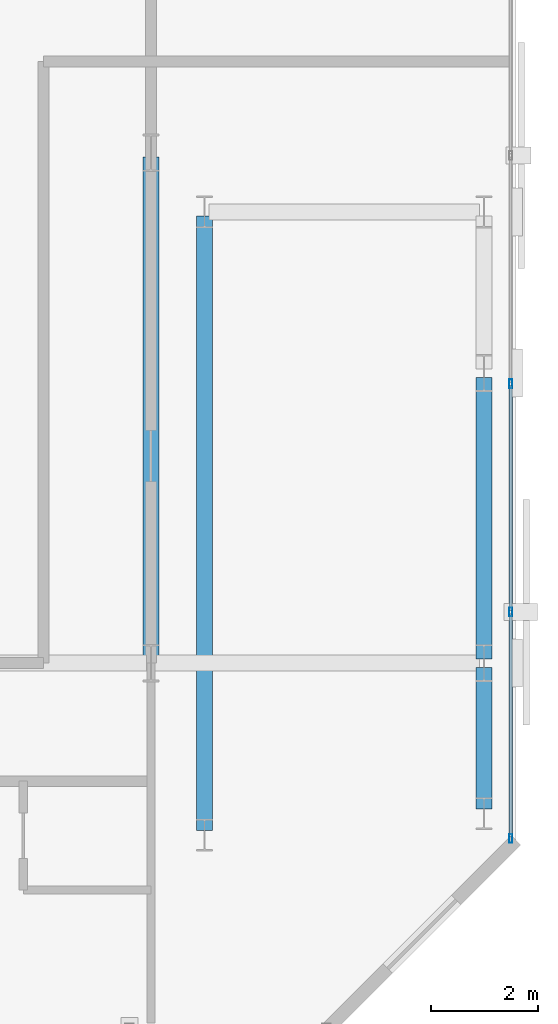
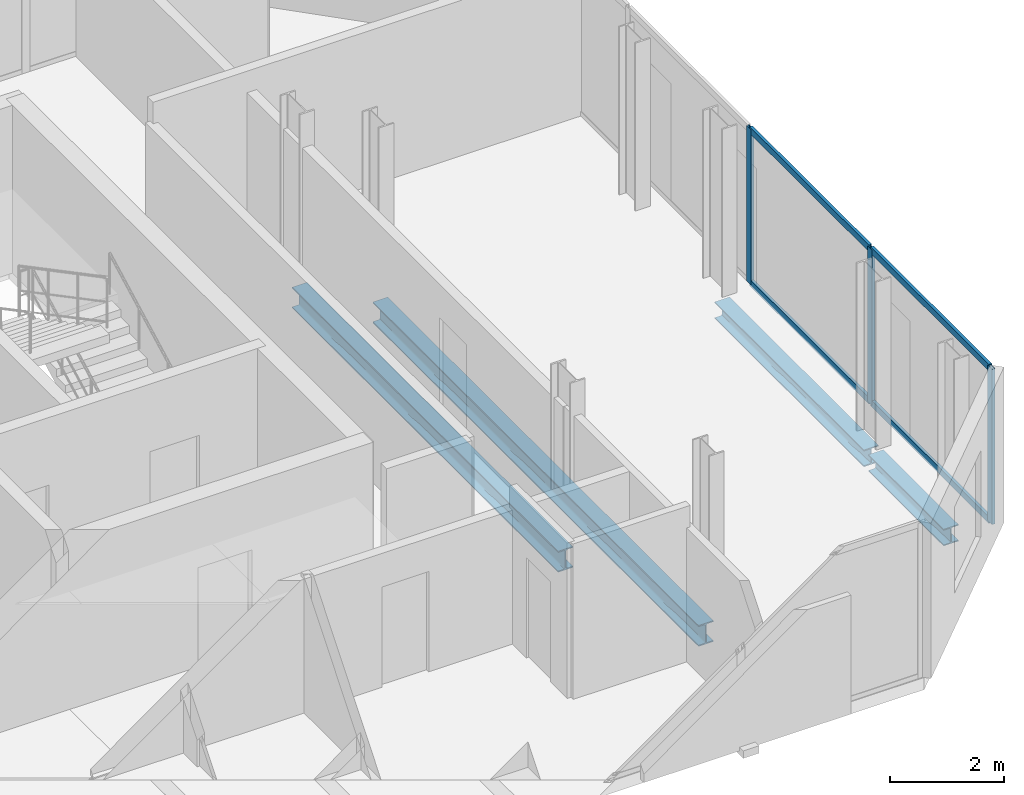
# One storey, part 16 of 33: 7 members, 4 beams, 1 element without a shape of its own.
"""IFC4 building model written with IfcOpenShell, lengths in metres."""

from ifc_helpers import new_model, si_unit, direction, frame, origin, origin_2d, place, context, subcontext, project, spatial, hollow_rectangle, i_section, extrude, material, layer, layer_set, material_profile, profile_set, type_object, element, aggregate, save


model = new_model("IFC4")

# Units and contexts
model_context = context("Model", 3, precision=1e-05, world=origin(), true_north=direction((0.0, 1.0)))
body_context = subcontext(model_context, "Body", "Model", "MODEL_VIEW")
ifc_project = project(units=[si_unit("LENGTHUNIT", "METRE"), si_unit("AREAUNIT", "SQUARE_METRE"), si_unit("VOLUMEUNIT", "CUBIC_METRE"), si_unit("PLANEANGLEUNIT", "RADIAN"), si_unit("MASSUNIT", "GRAM", prefix="KILO")], contexts=[model_context])

# Site, building, storey
site_placement = place(None, origin())
site = spatial("IfcSite", under=ifc_project, at=site_placement, CompositionType="ELEMENT")
building_placement = place(site_placement, origin())
building = spatial("IfcBuilding", under=site, at=building_placement, Name="Catumbela Crestline Tower", CompositionType="ELEMENT")
storey_placement = place(building_placement, frame((0.0, 0.0, 118.8)))
storey = spatial("IfcBuildingStorey", under=building, at=storey_placement, Name="L30", CompositionType="ELEMENT", Elevation=118.8)

# Beams
ifc_material_1 = material(Name="Structural steel S355J2", Category="steel")
ifc_material_profile_1 = material_profile(ifc_material_1, i_section(OverallWidth=0.3, OverallDepth=0.45, WebThickness=0.014, FlangeThickness=0.026, FilletRadius=0.027, at=origin_2d()), Name="HEB 450")
ifc_profile_set_1 = profile_set([ifc_material_profile_1], Name="Structural steel S355J2")
beam_type_1 = type_object("IfcBeamType", Name="BG-HEB450", PredefinedType="BEAM", material=ifc_profile_set_1)
beam_1_placement = place(storey_placement, frame((44.2, 30.88, -0.485), z_axis=(0.0, 1.0, 0.0), x_axis=(-1.0, 0.0, 0.0)))
element("IfcBeam", 1, at=beam_1_placement, inside=storey, type_object=beam_type_1, Name="L30 Beam BM-L30-SN32", PredefinedType="BEAM", context=body_context, shape_type="SweptSolid", body=[
    extrude(i_section(OverallWidth=0.3, OverallDepth=0.45, WebThickness=0.014, FlangeThickness=0.026, FilletRadius=0.027, at=origin_2d()), origin(), (0.0, 0.0, 1.0), 9.34),
])
beam_2_placement = place(storey_placement, frame((45.2, 27.68, -0.485), z_axis=(0.0, 1.0, 0.0), x_axis=(-1.0, 0.0, 0.0)))
element("IfcBeam", 2, at=beam_2_placement, inside=storey, type_object=beam_type_1, Name="L30 Beam BM-L30-SN33", PredefinedType="BEAM", context=body_context, shape_type="SweptSolid", body=[
    extrude(i_section(OverallWidth=0.3, OverallDepth=0.45, WebThickness=0.014, FlangeThickness=0.026, FilletRadius=0.027, at=origin_2d()), origin(), (0.0, 0.0, 1.0), 11.44),
])

# Curtain wall, members
ifc_material_2 = material(Name="Aluminium alloy AW-6060-T66", Category="aluminium")
ifc_layer = layer(ifc_material_2, 0.18, Name="Aluminium alloy AW-6060-T66")
ifc_layer_set = layer_set([ifc_layer], Name="Aluminium alloy AW-6060-T66")
curtain_wall_type = type_object("IfcCurtainWallType", Name="CWU-Z2", PredefinedType="USERDEFINED", material=ifc_layer_set)
curtain_wall_placement = place(storey_placement, origin())
curtain_wall = element("IfcCurtainWall", 3, at=curtain_wall_placement, inside=storey, type_object=curtain_wall_type, Name="L30 Unitised Curtain Wall CW-L30-E5S1", ObjectType="UNITISED", PredefinedType="USERDEFINED")
ifc_material_profile_2 = material_profile(ifc_material_2, hollow_rectangle(XDim=0.06, YDim=0.16, WallThickness=0.004, at=origin_2d()), Name="ALU 160x60x4")
ifc_profile_set_2 = profile_set([ifc_material_profile_2], Name="Aluminium alloy AW-6060-T66")
member_type_1 = type_object("IfcMemberType", Name="MUL-160X60", PredefinedType="MULLION", material=ifc_profile_set_2)
member_1_placement = place(storey_placement, frame((50.9, 27.5325, 0.0), z_axis=(0.0, 0.0, 1.0), x_axis=(-1.0, 0.0, 0.0)))
member_1 = element("IfcMember", 4, at=member_1_placement, type_object=member_type_1, Name="CWU-Z2 mullion 1", PredefinedType="MULLION", context=body_context, shape_type="SweptSolid", body=[
    extrude(hollow_rectangle(XDim=0.06, YDim=0.16, WallThickness=0.004, at=origin_2d()), origin(), (0.0, 0.0, 1.0), 3.33),
])
member_2_placement = place(storey_placement, frame((50.9, 31.75, 0.0), z_axis=(0.0, 0.0, 1.0), x_axis=(-1.0, 0.0, 0.0)))
member_2 = element("IfcMember", 5, at=member_2_placement, type_object=member_type_1, Name="CWU-Z2 mullion 2", PredefinedType="MULLION", context=body_context, shape_type="SweptSolid", body=[
    extrude(hollow_rectangle(XDim=0.06, YDim=0.16, WallThickness=0.004, at=origin_2d()), origin(), (0.0, 0.0, 1.0), 3.33),
])
member_3_placement = place(storey_placement, frame((50.9, 36.0, 0.0), z_axis=(0.0, 0.0, 1.0), x_axis=(-1.0, 0.0, 0.0)))
member_3 = element("IfcMember", 6, at=member_3_placement, type_object=member_type_1, Name="CWU-Z2 mullion 3", PredefinedType="MULLION", context=body_context, shape_type="SweptSolid", body=[
    extrude(hollow_rectangle(XDim=0.06, YDim=0.16, WallThickness=0.004, at=origin_2d()), origin(), (0.0, 0.0, 1.0), 3.33),
])

# Beams
ifc_material_profile_3 = material_profile(ifc_material_1, i_section(OverallWidth=0.3, OverallDepth=0.36, WebThickness=0.0125, FlangeThickness=0.0225, FilletRadius=0.027, at=origin_2d()), Name="HEB 360")
ifc_profile_set_3 = profile_set([ifc_material_profile_3], Name="Structural steel S355J2")
beam_type_2 = type_object("IfcBeamType", Name="BS-HEB360", PredefinedType="SPANDREL", material=ifc_profile_set_3)
beam_3_placement = place(storey_placement, frame((50.4, 28.08, -0.44), z_axis=(0.0, 1.0, 0.0), x_axis=(-1.0, 0.0, 0.0)))
element("IfcBeam", 7, at=beam_3_placement, inside=storey, type_object=beam_type_2, Name="L30 Spandrel SP-L30-SN34", PredefinedType="SPANDREL", context=body_context, shape_type="SweptSolid", body=[
    extrude(i_section(OverallWidth=0.3, OverallDepth=0.36, WebThickness=0.0125, FlangeThickness=0.0225, FilletRadius=0.027, at=origin_2d()), origin(), (0.0, 0.0, 1.0), 2.64),
])
beam_4_placement = place(storey_placement, frame((50.4, 30.88, -0.44), z_axis=(0.0, 1.0, 0.0), x_axis=(-1.0, 0.0, 0.0)))
element("IfcBeam", 8, at=beam_4_placement, inside=storey, type_object=beam_type_2, Name="L30 Spandrel SP-L30-SN35", PredefinedType="SPANDREL", context=body_context, shape_type="SweptSolid", body=[
    extrude(i_section(OverallWidth=0.3, OverallDepth=0.36, WebThickness=0.0125, FlangeThickness=0.0225, FilletRadius=0.027, at=origin_2d()), origin(), (0.0, 0.0, 1.0), 5.24),
])

# Member
ifc_material_profile_4 = material_profile(ifc_material_2, hollow_rectangle(XDim=0.06, YDim=0.14, WallThickness=0.004, at=origin_2d()), Name="ALU 140x60x4")
ifc_profile_set_4 = profile_set([ifc_material_profile_4], Name="Aluminium alloy AW-6060-T66")
member_type_2 = type_object("IfcMemberType", Name="TRN-140X60", PredefinedType="USERDEFINED", material=ifc_profile_set_4)
member_4_placement = place(storey_placement, frame((50.9, 27.565, 0.03), z_axis=(0.0, 1.0, 0.0), x_axis=(-1.0, 0.0, 0.0)))
member_4 = element("IfcMember", 9, at=member_4_placement, type_object=member_type_2, Name="CWU-Z2 transom 1.1", ObjectType="TRANSOM", PredefinedType="USERDEFINED", context=body_context, shape_type="SweptSolid", body=[
    extrude(hollow_rectangle(XDim=0.06, YDim=0.14, WallThickness=0.004, at=origin_2d()), origin(), (0.0, 0.0, 1.0), 4.1525),
])

member_5_placement = place(storey_placement, frame((50.9, 27.565, 3.3), z_axis=(0.0, 1.0, 0.0), x_axis=(-1.0, 0.0, 0.0)))
member_5 = element("IfcMember", 10, at=member_5_placement, type_object=member_type_2, Name="CWU-Z2 transom 1.2", ObjectType="TRANSOM", PredefinedType="USERDEFINED", context=body_context, shape_type="SweptSolid", body=[
    extrude(hollow_rectangle(XDim=0.06, YDim=0.14, WallThickness=0.004, at=origin_2d()), origin(), (0.0, 0.0, 1.0), 4.1525),
])

member_6_placement = place(storey_placement, frame((50.9, 31.7825, 0.03), z_axis=(0.0, 1.0, 0.0), x_axis=(-1.0, 0.0, 0.0)))
member_6 = element("IfcMember", 11, at=member_6_placement, type_object=member_type_2, Name="CWU-Z2 transom 2.1", ObjectType="TRANSOM", PredefinedType="USERDEFINED", context=body_context, shape_type="SweptSolid", body=[
    extrude(hollow_rectangle(XDim=0.06, YDim=0.14, WallThickness=0.004, at=origin_2d()), origin(), (0.0, 0.0, 1.0), 4.185),
])

member_7_placement = place(storey_placement, frame((50.9, 31.7825, 3.3), z_axis=(0.0, 1.0, 0.0), x_axis=(-1.0, 0.0, 0.0)))
member_7 = element("IfcMember", 12, at=member_7_placement, type_object=member_type_2, Name="CWU-Z2 transom 2.2", ObjectType="TRANSOM", PredefinedType="USERDEFINED", context=body_context, shape_type="SweptSolid", body=[
    extrude(hollow_rectangle(XDim=0.06, YDim=0.14, WallThickness=0.004, at=origin_2d()), origin(), (0.0, 0.0, 1.0), 4.185),
])

aggregate(curtain_wall, [member_1, member_2, member_3, member_4, member_5, member_6, member_7])

save(model, "model.ifc")
